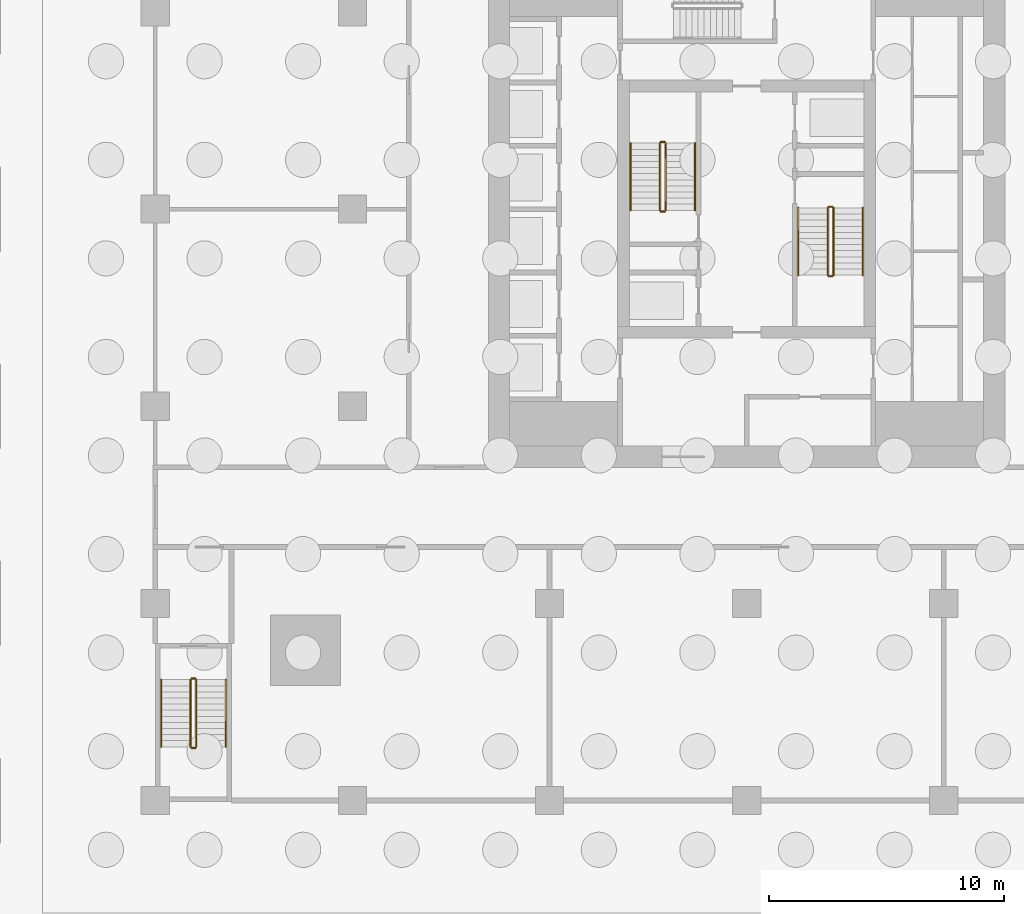
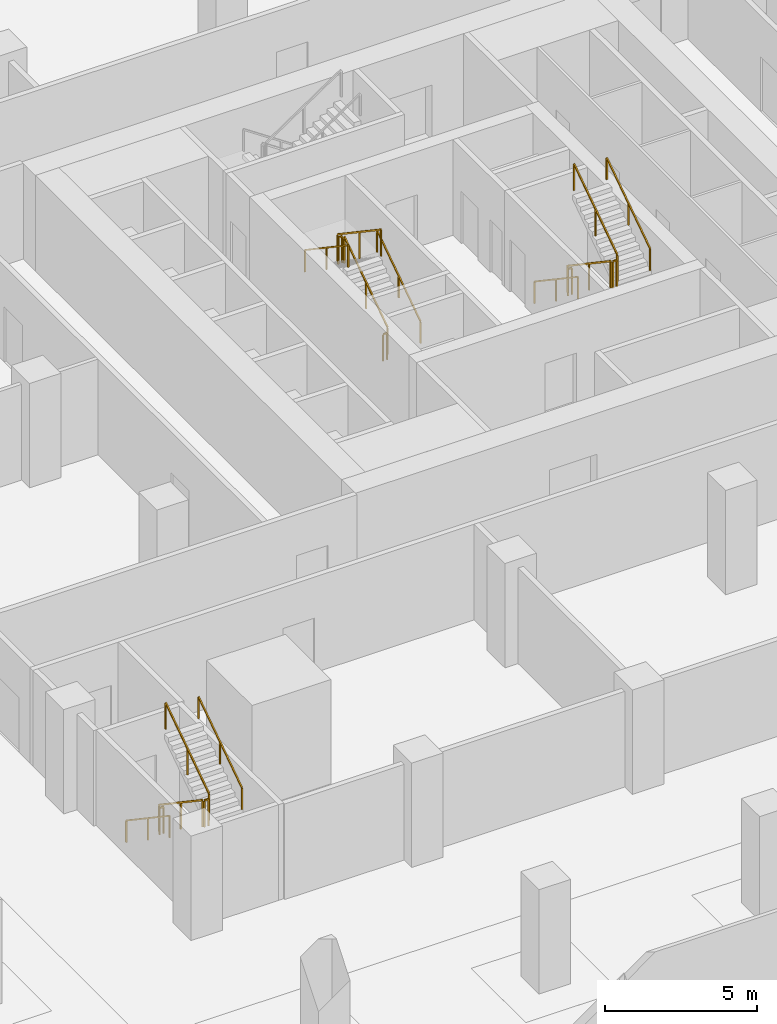
# One storey, part 14 of 19: 18 railings.
"""IFC4 building model written with IfcOpenShell, lengths in metres."""

from ifc_helpers import new_model, si_unit, direction, frame, origin, origin_2d, place, context, subcontext, project, spatial, rectangle, extrude, material, type_object, element, save


model = new_model("IFC4")

# Units and contexts
model_context = context("Model", 3, precision=1e-05, world=origin(), true_north=direction((0.0, 1.0)))
body_context = subcontext(model_context, "Body", "Model", "MODEL_VIEW")
ifc_project = project(units=[si_unit("LENGTHUNIT", "METRE"), si_unit("AREAUNIT", "SQUARE_METRE"), si_unit("VOLUMEUNIT", "CUBIC_METRE"), si_unit("PLANEANGLEUNIT", "RADIAN"), si_unit("MASSUNIT", "GRAM", prefix="KILO")], contexts=[model_context])

# Site, building, storey
site_placement = place(None, origin())
site = spatial("IfcSite", under=ifc_project, at=site_placement, CompositionType="ELEMENT")
building_placement = place(site_placement, origin())
building = spatial("IfcBuilding", under=site, at=building_placement, Name="Khepri Terraces", CompositionType="ELEMENT")
storey_placement = place(building_placement, frame((0.0, 0.0, -8.39990234375)))
storey = spatial("IfcBuildingStorey", under=building, at=storey_placement, Name="B2", CompositionType="ELEMENT", Elevation=-8.39990234375)

# Railings
ifc_material = material(Name="Stainless steel 316", Category="steel")
railing_type_1 = type_object("IfcRailingType", Name="RL-CORE-GUARD", PredefinedType="GUARDRAIL", material=ifc_material)
railing_1_placement = place(storey_placement, frame((-3.449951171875, -0.050048828125, 0.1748046875)))
element("IfcRailing", 1, at=railing_1_placement, inside=storey, type_object=railing_type_1, Name="B2 ST-1 stair guard 1", PredefinedType="GUARDRAIL", context=body_context, shape_type="SweptSolid", body=[
    extrude(rectangle(XDim=0.050048828125, YDim=0.06005859375, at=origin_2d()), frame((0.0, 0.0, 1.070068359375), z_axis=(0.0, 0.829590901723, 0.558371682465), x_axis=(-1.0, 0.0, 0.0)), (0.0, 0.0, 1.0), 3.447509765625),
    extrude(rectangle(XDim=0.050048828125, YDim=0.050048828125, at=origin_2d()), origin(), (0.0, 0.0, 1.0), 1.0400390625),
    extrude(rectangle(XDim=0.050048828125, YDim=0.050048828125, at=origin_2d()), frame((0.0, 1.43017578125, 0.96240234375)), (0.0, 0.0, 1.0), 1.0400390625),
    extrude(rectangle(XDim=0.050048828125, YDim=0.050048828125, at=origin_2d()), frame((0.0, 2.860107421875, 1.925048828125)), (0.0, 0.0, 1.0), 1.0400390625),
])
railing_2_placement = place(storey_placement, frame((-3.5, 2.860107421875, 2.099853515625)))
element("IfcRailing", 2, at=railing_2_placement, inside=storey, type_object=railing_type_1, Name="B2 ST-1 stair guard 2", PredefinedType="GUARDRAIL", context=body_context, shape_type="SweptSolid", body=[
    extrude(rectangle(XDim=0.050048828125, YDim=0.06005859375, at=origin_2d()), frame((0.0, 0.0, 1.070068359375), z_axis=(-1.0, 0.0, 0.0), x_axis=(0.0, -1.0, 0.0)), (0.0, 0.0, 1.0), 0.14990234375),
    extrude(rectangle(XDim=0.050048828125, YDim=0.050048828125, at=origin_2d()), origin(), (0.0, 0.0, 1.0), 1.0400390625),
    extrude(rectangle(XDim=0.050048828125, YDim=0.050048828125, at=origin_2d()), frame((-0.14990234375, 0.0, 0.0)), (0.0, 0.0, 1.0), 1.0400390625),
])
railing_3_placement = place(storey_placement, frame((-3.699951171875, 2.81005859375, 2.27490234375)))
element("IfcRailing", 3, at=railing_3_placement, inside=storey, type_object=railing_type_1, Name="B2 ST-1 stair guard 3", PredefinedType="GUARDRAIL", context=body_context, shape_type="SweptSolid", body=[
    extrude(rectangle(XDim=0.050048828125, YDim=0.06005859375, at=origin_2d()), frame((0.0, 0.0, 1.070068359375), z_axis=(0.0, -0.829590901723, 0.558371682465), x_axis=(1.0, 0.0, 0.0)), (0.0, 0.0, 1.0), 3.447509765625),
    extrude(rectangle(XDim=0.050048828125, YDim=0.050048828125, at=origin_2d()), origin(), (0.0, 0.0, 1.0), 1.0400390625),
    extrude(rectangle(XDim=0.050048828125, YDim=0.050048828125, at=origin_2d()), frame((0.0, -1.43017578125, 0.96240234375)), (0.0, 0.0, 1.0), 1.0400390625),
    extrude(rectangle(XDim=0.050048828125, YDim=0.050048828125, at=origin_2d()), frame((0.0, -2.860107421875, 1.925048828125)), (0.0, 0.0, 1.0), 1.0400390625),
])
railing_4_placement = place(storey_placement, frame((-3.5, -0.10009765625, 0.0)))
element("IfcRailing", 4, at=railing_4_placement, inside=storey, type_object=railing_type_1, Name="B2 ST-1 stair guard 4", PredefinedType="GUARDRAIL", context=body_context, shape_type="SweptSolid", body=[
    extrude(rectangle(XDim=0.050048828125, YDim=0.06005859375, at=origin_2d()), frame((0.0, 0.0, 1.070068359375), z_axis=(-1.0, 0.0, 0.0), x_axis=(0.0, -1.0, 0.0)), (0.0, 0.0, 1.0), 0.14990234375),
    extrude(rectangle(XDim=0.050048828125, YDim=0.050048828125, at=origin_2d()), origin(), (0.0, 0.0, 1.0), 1.0400390625),
    extrude(rectangle(XDim=0.050048828125, YDim=0.050048828125, at=origin_2d()), frame((-0.14990234375, 0.0, 0.0)), (0.0, 0.0, 1.0), 1.0400390625),
])
railing_5_placement = place(storey_placement, frame((3.449951171875, 0.050048828125, 0.1748046875)))
element("IfcRailing", 5, at=railing_5_placement, inside=storey, type_object=railing_type_1, Name="B2 ST-2 stair guard 1", PredefinedType="GUARDRAIL", context=body_context, shape_type="SweptSolid", body=[
    extrude(rectangle(XDim=0.050048828125, YDim=0.06005859375, at=origin_2d()), frame((0.0, 0.0, 1.070068359375), z_axis=(0.0, -0.829590901723, 0.558371682465), x_axis=(1.0, 0.0, 0.0)), (0.0, 0.0, 1.0), 3.447509765625),
    extrude(rectangle(XDim=0.050048828125, YDim=0.050048828125, at=origin_2d()), origin(), (0.0, 0.0, 1.0), 1.0400390625),
    extrude(rectangle(XDim=0.050048828125, YDim=0.050048828125, at=origin_2d()), frame((0.0, -1.43017578125, 0.96240234375)), (0.0, 0.0, 1.0), 1.0400390625),
    extrude(rectangle(XDim=0.050048828125, YDim=0.050048828125, at=origin_2d()), frame((0.0, -2.860107421875, 1.925048828125)), (0.0, 0.0, 1.0), 1.0400390625),
])
railing_6_placement = place(storey_placement, frame((3.5, -2.860107421875, 2.099853515625)))
element("IfcRailing", 6, at=railing_6_placement, inside=storey, type_object=railing_type_1, Name="B2 ST-2 stair guard 2", PredefinedType="GUARDRAIL", context=body_context, shape_type="SweptSolid", body=[
    extrude(rectangle(XDim=0.050048828125, YDim=0.06005859375, at=origin_2d()), frame((0.0, 0.0, 1.070068359375), z_axis=(1.0, 0.0, 0.0), x_axis=(0.0, 1.0, 0.0)), (0.0, 0.0, 1.0), 0.14990234375),
    extrude(rectangle(XDim=0.050048828125, YDim=0.050048828125, at=origin_2d()), origin(), (0.0, 0.0, 1.0), 1.0400390625),
    extrude(rectangle(XDim=0.050048828125, YDim=0.050048828125, at=origin_2d()), frame((0.14990234375, 0.0, 0.0)), (0.0, 0.0, 1.0), 1.0400390625),
])
railing_7_placement = place(storey_placement, frame((3.699951171875, -2.81005859375, 2.27490234375)))
element("IfcRailing", 7, at=railing_7_placement, inside=storey, type_object=railing_type_1, Name="B2 ST-2 stair guard 3", PredefinedType="GUARDRAIL", context=body_context, shape_type="SweptSolid", body=[
    extrude(rectangle(XDim=0.050048828125, YDim=0.06005859375, at=origin_2d()), frame((0.0, 0.0, 1.070068359375), z_axis=(0.0, 0.829590901723, 0.558371682465), x_axis=(-1.0, 0.0, 0.0)), (0.0, 0.0, 1.0), 3.447509765625),
    extrude(rectangle(XDim=0.050048828125, YDim=0.050048828125, at=origin_2d()), origin(), (0.0, 0.0, 1.0), 1.0400390625),
    extrude(rectangle(XDim=0.050048828125, YDim=0.050048828125, at=origin_2d()), frame((0.0, 1.43017578125, 0.96240234375)), (0.0, 0.0, 1.0), 1.0400390625),
    extrude(rectangle(XDim=0.050048828125, YDim=0.050048828125, at=origin_2d()), frame((0.0, 2.860107421875, 1.925048828125)), (0.0, 0.0, 1.0), 1.0400390625),
])
railing_8_placement = place(storey_placement, frame((3.5, 0.10009765625, 0.0)))
element("IfcRailing", 8, at=railing_8_placement, inside=storey, type_object=railing_type_1, Name="B2 ST-2 stair guard 4", PredefinedType="GUARDRAIL", context=body_context, shape_type="SweptSolid", body=[
    extrude(rectangle(XDim=0.050048828125, YDim=0.06005859375, at=origin_2d()), frame((0.0, 0.0, 1.070068359375), z_axis=(1.0, 0.0, 0.0), x_axis=(0.0, 1.0, 0.0)), (0.0, 0.0, 1.0), 0.14990234375),
    extrude(rectangle(XDim=0.050048828125, YDim=0.050048828125, at=origin_2d()), origin(), (0.0, 0.0, 1.0), 1.0400390625),
    extrude(rectangle(XDim=0.050048828125, YDim=0.050048828125, at=origin_2d()), frame((0.14990234375, 0.0, 0.0)), (0.0, 0.0, 1.0), 1.0400390625),
])
railing_type_2 = type_object("IfcRailingType", Name="RL-CORE-HANDRAIL", PredefinedType="HANDRAIL", material=ifc_material)
railing_9_placement = place(storey_placement, frame((-2.199951171875, -0.050048828125, 0.1748046875)))
element("IfcRailing", 9, at=railing_9_placement, inside=storey, type_object=railing_type_2, Name="B2 ST-1 stair handrail 1", PredefinedType="HANDRAIL", context=body_context, shape_type="SweptSolid", body=[
    extrude(rectangle(XDim=0.050048828125, YDim=0.050048828125, at=origin_2d()), frame((0.0, 0.0, 0.875), z_axis=(0.0, 0.829590901723, 0.558371682465), x_axis=(-1.0, 0.0, 0.0)), (0.0, 0.0, 1.0), 3.447509765625),
    extrude(rectangle(XDim=0.050048828125, YDim=0.050048828125, at=origin_2d()), origin(), (0.0, 0.0, 1.0), 0.849853515625),
    extrude(rectangle(XDim=0.050048828125, YDim=0.050048828125, at=origin_2d()), frame((0.0, 1.43017578125, 0.96240234375)), (0.0, 0.0, 1.0), 0.849853515625),
    extrude(rectangle(XDim=0.050048828125, YDim=0.050048828125, at=origin_2d()), frame((0.0, 2.860107421875, 1.925048828125)), (0.0, 0.0, 1.0), 0.849853515625),
])
for number, where, name in (
    (10, (-4.949951171875, 2.81005859375, 2.27490234375), "B2 ST-1 stair handrail 2"),
    (11, (2.199951171875, 0.050048828125, 0.1748046875), "B2 ST-2 stair handrail 1"),
):
    element("IfcRailing", number, at=place(storey_placement, frame(where)), inside=storey, type_object=railing_type_2, Name=name, PredefinedType="HANDRAIL", context=body_context, shape_type="SweptSolid", body=[
        extrude(rectangle(XDim=0.050048828125, YDim=0.050048828125, at=origin_2d()), frame((0.0, 0.0, 0.875), z_axis=(0.0, -0.829590901723, 0.558371682465), x_axis=(1.0, 0.0, 0.0)), (0.0, 0.0, 1.0), 3.447509765625),
        extrude(rectangle(XDim=0.050048828125, YDim=0.050048828125, at=origin_2d()), origin(), (0.0, 0.0, 1.0), 0.849853515625),
        extrude(rectangle(XDim=0.050048828125, YDim=0.050048828125, at=origin_2d()), frame((0.0, -1.43017578125, 0.96240234375)), (0.0, 0.0, 1.0), 0.849853515625),
        extrude(rectangle(XDim=0.050048828125, YDim=0.050048828125, at=origin_2d()), frame((0.0, -2.860107421875, 1.925048828125)), (0.0, 0.0, 1.0), 0.849853515625),
    ])
railing_10_placement = place(storey_placement, frame((4.949951171875, -2.81005859375, 2.27490234375)))
element("IfcRailing", 12, at=railing_10_placement, inside=storey, type_object=railing_type_2, Name="B2 ST-2 stair handrail 2", PredefinedType="HANDRAIL", context=body_context, shape_type="SweptSolid", body=[
    extrude(rectangle(XDim=0.050048828125, YDim=0.050048828125, at=origin_2d()), frame((0.0, 0.0, 0.875), z_axis=(0.0, 0.829590901723, 0.558371682465), x_axis=(-1.0, 0.0, 0.0)), (0.0, 0.0, 1.0), 3.447509765625),
    extrude(rectangle(XDim=0.050048828125, YDim=0.050048828125, at=origin_2d()), origin(), (0.0, 0.0, 1.0), 0.849853515625),
    extrude(rectangle(XDim=0.050048828125, YDim=0.050048828125, at=origin_2d()), frame((0.0, 1.43017578125, 0.96240234375)), (0.0, 0.0, 1.0), 0.849853515625),
    extrude(rectangle(XDim=0.050048828125, YDim=0.050048828125, at=origin_2d()), frame((0.0, 2.860107421875, 1.925048828125)), (0.0, 0.0, 1.0), 0.849853515625),
])
railing_type_3 = type_object("IfcRailingType", Name="RL-POD-GUARD", PredefinedType="GUARDRAIL", material=ifc_material)
railing_11_placement = place(storey_placement, frame((-23.699951171875, -20.050048828125, 0.1748046875)))
element("IfcRailing", 13, at=railing_11_placement, inside=storey, type_object=railing_type_3, Name="B2 PS-4 stair guard 1", PredefinedType="GUARDRAIL", context=body_context, shape_type="SweptSolid", body=[
    extrude(rectangle(XDim=0.050048828125, YDim=0.06005859375, at=origin_2d()), frame((0.0, 0.0, 1.070068359375), z_axis=(0.0, -0.829568821333, 0.558404486615), x_axis=(1.0, 0.0, 0.0)), (0.0, 0.0, 1.0), 3.447509765625),
    extrude(rectangle(XDim=0.050048828125, YDim=0.050048828125, at=origin_2d()), origin(), (0.0, 0.0, 1.0), 1.0400390625),
    extrude(rectangle(XDim=0.050048828125, YDim=0.050048828125, at=origin_2d()), frame((0.0, -1.429931640625, 0.96240234375)), (0.0, 0.0, 1.0), 1.0400390625),
    extrude(rectangle(XDim=0.050048828125, YDim=0.050048828125, at=origin_2d()), frame((0.0, -2.85986328125, 1.925048828125)), (0.0, 0.0, 1.0), 1.0400390625),
])
railing_12_placement = place(storey_placement, frame((-23.64990234375, -22.9599609375, 2.099853515625)))
element("IfcRailing", 14, at=railing_12_placement, inside=storey, type_object=railing_type_3, Name="B2 PS-4 stair guard 2", PredefinedType="GUARDRAIL", context=body_context, shape_type="SweptSolid", body=[
    extrude(rectangle(XDim=0.050048828125, YDim=0.06005859375, at=origin_2d()), frame((0.0, 0.0, 1.070068359375), z_axis=(1.0, 0.0, 0.0), x_axis=(0.0, 1.0, 0.0)), (0.0, 0.0, 1.0), 0.14990234375),
    extrude(rectangle(XDim=0.050048828125, YDim=0.050048828125, at=origin_2d()), origin(), (0.0, 0.0, 1.0), 1.0400390625),
    extrude(rectangle(XDim=0.050048828125, YDim=0.050048828125, at=origin_2d()), frame((0.14990234375, 0.0, 0.0)), (0.0, 0.0, 1.0), 1.0400390625),
])
railing_13_placement = place(storey_placement, frame((-23.449951171875, -22.909912109375, 2.27490234375)))
element("IfcRailing", 15, at=railing_13_placement, inside=storey, type_object=railing_type_3, Name="B2 PS-4 stair guard 3", PredefinedType="GUARDRAIL", context=body_context, shape_type="SweptSolid", body=[
    extrude(rectangle(XDim=0.050048828125, YDim=0.06005859375, at=origin_2d()), frame((0.0, 0.0, 1.070068359375), z_axis=(0.0, 0.829568821333, 0.558404486615), x_axis=(-1.0, 0.0, 0.0)), (0.0, 0.0, 1.0), 3.447509765625),
    extrude(rectangle(XDim=0.050048828125, YDim=0.050048828125, at=origin_2d()), origin(), (0.0, 0.0, 1.0), 1.0400390625),
    extrude(rectangle(XDim=0.050048828125, YDim=0.050048828125, at=origin_2d()), frame((0.0, 1.429931640625, 0.96240234375)), (0.0, 0.0, 1.0), 1.0400390625),
    extrude(rectangle(XDim=0.050048828125, YDim=0.050048828125, at=origin_2d()), frame((0.0, 2.85986328125, 1.925048828125)), (0.0, 0.0, 1.0), 1.0400390625),
])
railing_14_placement = place(storey_placement, frame((-23.64990234375, -20.0, 0.0)))
element("IfcRailing", 16, at=railing_14_placement, inside=storey, type_object=railing_type_3, Name="B2 PS-4 stair guard 4", PredefinedType="GUARDRAIL", context=body_context, shape_type="SweptSolid", body=[
    extrude(rectangle(XDim=0.050048828125, YDim=0.06005859375, at=origin_2d()), frame((0.0, 0.0, 1.070068359375), z_axis=(1.0, 0.0, 0.0), x_axis=(0.0, 1.0, 0.0)), (0.0, 0.0, 1.0), 0.14990234375),
    extrude(rectangle(XDim=0.050048828125, YDim=0.050048828125, at=origin_2d()), origin(), (0.0, 0.0, 1.0), 1.0400390625),
    extrude(rectangle(XDim=0.050048828125, YDim=0.050048828125, at=origin_2d()), frame((0.14990234375, 0.0, 0.0)), (0.0, 0.0, 1.0), 1.0400390625),
])
railing_type_4 = type_object("IfcRailingType", Name="RL-POD-HANDRAIL", PredefinedType="HANDRAIL", material=ifc_material)
railing_15_placement = place(storey_placement, frame((-24.949951171875, -20.050048828125, 0.1748046875)))
element("IfcRailing", 17, at=railing_15_placement, inside=storey, type_object=railing_type_4, Name="B2 PS-4 stair handrail 1", PredefinedType="HANDRAIL", context=body_context, shape_type="SweptSolid", body=[
    extrude(rectangle(XDim=0.050048828125, YDim=0.050048828125, at=origin_2d()), frame((0.0, 0.0, 0.875), z_axis=(0.0, -0.829568821333, 0.558404486615), x_axis=(1.0, 0.0, 0.0)), (0.0, 0.0, 1.0), 3.447509765625),
    extrude(rectangle(XDim=0.050048828125, YDim=0.050048828125, at=origin_2d()), origin(), (0.0, 0.0, 1.0), 0.849853515625),
    extrude(rectangle(XDim=0.050048828125, YDim=0.050048828125, at=origin_2d()), frame((0.0, -1.429931640625, 0.96240234375)), (0.0, 0.0, 1.0), 0.849853515625),
    extrude(rectangle(XDim=0.050048828125, YDim=0.050048828125, at=origin_2d()), frame((0.0, -2.85986328125, 1.925048828125)), (0.0, 0.0, 1.0), 0.849853515625),
])
railing_16_placement = place(storey_placement, frame((-22.199951171875, -22.909912109375, 2.27490234375)))
element("IfcRailing", 18, at=railing_16_placement, inside=storey, type_object=railing_type_4, Name="B2 PS-4 stair handrail 2", PredefinedType="HANDRAIL", context=body_context, shape_type="SweptSolid", body=[
    extrude(rectangle(XDim=0.050048828125, YDim=0.050048828125, at=origin_2d()), frame((0.0, 0.0, 0.875), z_axis=(0.0, 0.829568821333, 0.558404486615), x_axis=(-1.0, 0.0, 0.0)), (0.0, 0.0, 1.0), 3.447509765625),
    extrude(rectangle(XDim=0.050048828125, YDim=0.050048828125, at=origin_2d()), origin(), (0.0, 0.0, 1.0), 0.849853515625),
    extrude(rectangle(XDim=0.050048828125, YDim=0.050048828125, at=origin_2d()), frame((0.0, 1.429931640625, 0.96240234375)), (0.0, 0.0, 1.0), 0.849853515625),
    extrude(rectangle(XDim=0.050048828125, YDim=0.050048828125, at=origin_2d()), frame((0.0, 2.85986328125, 1.925048828125)), (0.0, 0.0, 1.0), 0.849853515625),
])

save(model, "model.ifc")
